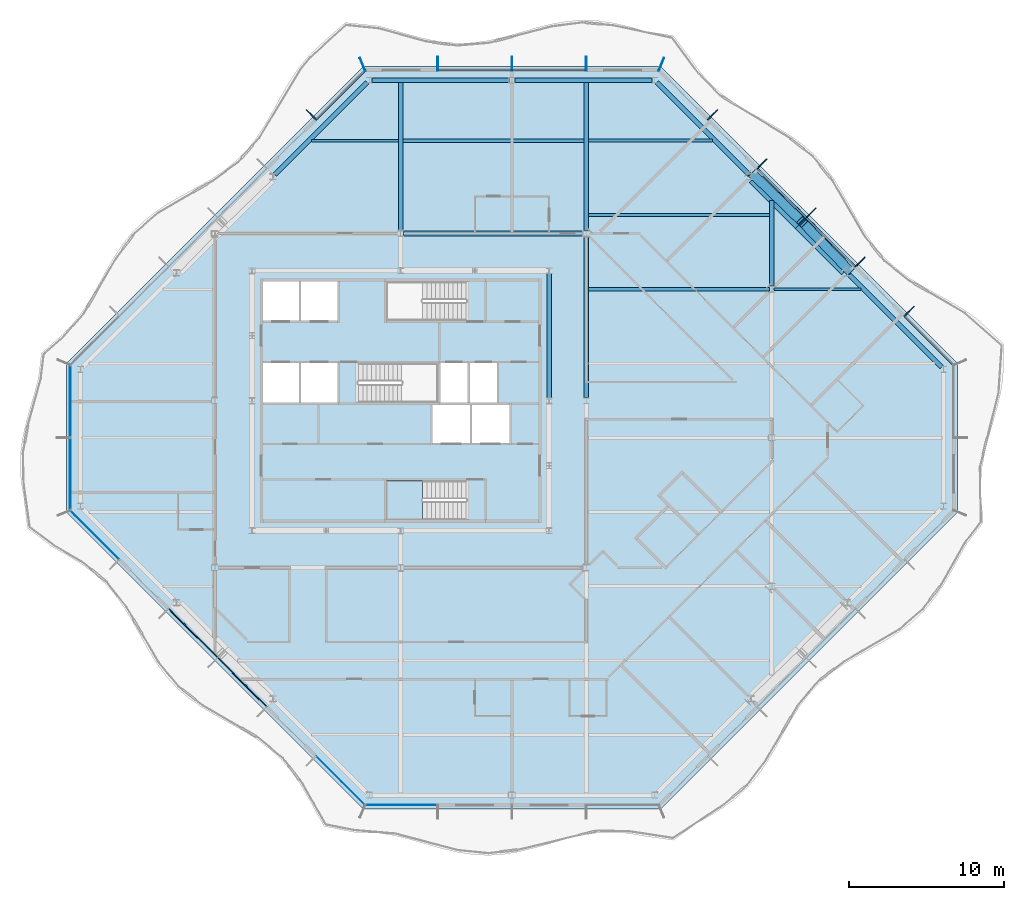
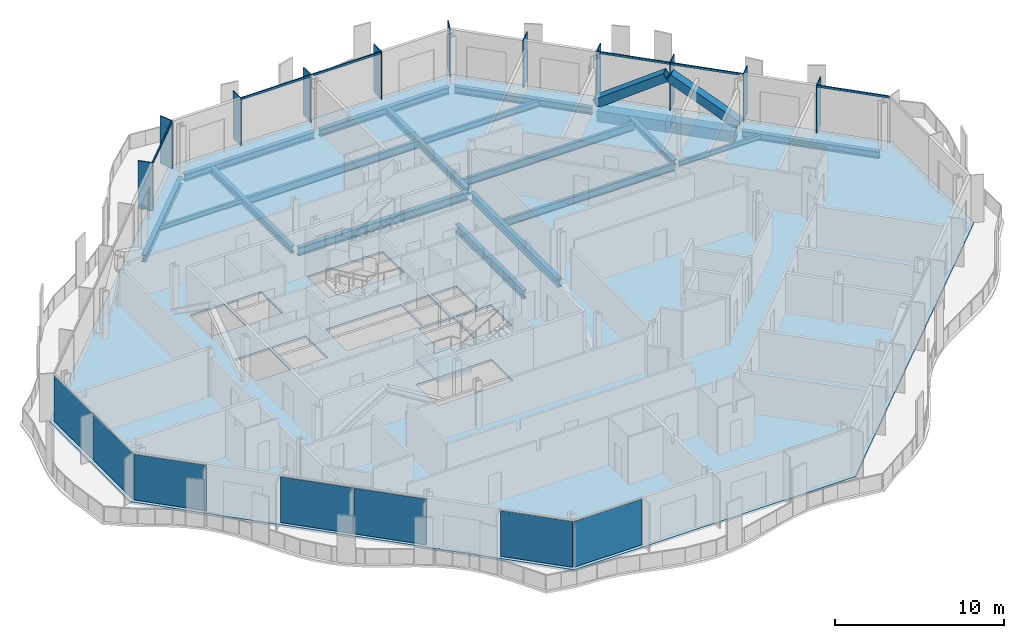
# One storey, part 5 of 17: 19 beams, 19 members, 7 plates, 2 slabs, 7 elements without a shape of their own.
"""IFC4 building model written with IfcOpenShell, lengths in metres."""

from ifc_helpers import new_model, si_unit, direction, frame, origin, origin_2d, place, context, subcontext, project, spatial, polyline, rectangle, hollow_rectangle, i_section, outline, extrude, material, layer, layer_set, material_profile, profile_set, type_object, element, aggregate, save


model = new_model("IFC4")

# Units and contexts
model_context = context("Model", 3, precision=1e-05, world=origin(), true_north=direction((0.0, 1.0)))
body_context = subcontext(model_context, "Body", "Model", "MODEL_VIEW")
ifc_project = project(units=[si_unit("LENGTHUNIT", "METRE"), si_unit("AREAUNIT", "SQUARE_METRE"), si_unit("VOLUMEUNIT", "CUBIC_METRE"), si_unit("PLANEANGLEUNIT", "RADIAN"), si_unit("MASSUNIT", "GRAM", prefix="KILO")], contexts=[model_context])

# Site, building, storey
site_placement = place(None, origin())
site = spatial("IfcSite", under=ifc_project, at=site_placement, CompositionType="ELEMENT")
building_placement = place(site_placement, origin())
building = spatial("IfcBuilding", under=site, at=building_placement, Name="Cairn Pilgrim Tower", CompositionType="ELEMENT")
storey_placement = place(building_placement, frame((0.0, 0.0, 243.0)))
storey = spatial("IfcBuildingStorey", under=building, at=storey_placement, Name="L62", CompositionType="ELEMENT", Elevation=243.0)

# Members
ifc_material_1 = material(Name="Structural steel S460M", Category="steel")
ifc_material_profile_1 = material_profile(ifc_material_1, hollow_rectangle(XDim=0.60009765625, YDim=0.60009765625, WallThickness=0.034912109375, at=origin_2d()), Name="BOX 600x600x35")
ifc_profile_set_1 = profile_set([ifc_material_profile_1], Name="Structural steel S460M")
member_type_1 = type_object("IfcMemberType", Name="BOX 600x600x35 BRACE", PredefinedType="BRACE", material=ifc_profile_set_1)
for number, where, z_axis, x_axis, name in (
    (1, (36.194580078125, 10.813232421875, 0.14990234375), (-0.593141693494, 0.611806144004, 0.523331800675), (-0.717973624454, -0.696070308653, 0.0), "XB-NE2-NE3-1"),
    (2, (30.01318359375, 16.99462890625, 0.14990234375), (0.611806144004, -0.593141693494, 0.523331800675), (0.696070308653, 0.717973624454, 0.0), "XB-NE2-NE3-2"),
):
    element("IfcMember", number, at=place(storey_placement, frame(where, z_axis=z_axis, x_axis=x_axis)), inside=storey, type_object=member_type_1, Name=name, PredefinedType="BRACE", context=body_context, shape_type="SweptSolid", body=[
        extrude(hollow_rectangle(XDim=0.60009765625, YDim=0.60009765625, WallThickness=0.034912109375, at=origin_2d()), origin(), (0.0, 0.0, 1.0), 5.035888671875),
    ])

# Beams
ifc_material_2 = material(Name="Structural steel S355J2", Category="steel")
ifc_material_profile_2 = material_profile(ifc_material_2, hollow_rectangle(XDim=0.699951171875, YDim=0.800048828125, WallThickness=0.0400390625, at=origin_2d()), Name="BOX 700x800x40")
ifc_profile_set_2 = profile_set([ifc_material_profile_2], Name="Structural steel S355J2")
beam_type_1 = type_object("IfcBeamType", Name="BOX 700x800x40 RING GIRDER", PredefinedType="SPANDREL", material=ifc_profile_set_2)
for number, where, z_axis, x_axis, name in (
    (3, (35.947265625, 10.780029296875, -0.550048828125), (-0.707106781187, 0.707106781187, 0.0), (-0.707106781187, -0.707106781187, 0.0), "RG3-NE2-NE3-1"),
    (4, (32.963623046875, 13.763671875, -0.550048828125), (-0.707106781187, 0.707106781187, 0.0), (-0.707106781187, -0.707106781187, 0.0), "RG3-NE2-NE3-2"),
):
    element("IfcBeam", number, at=place(storey_placement, frame(where, z_axis=z_axis, x_axis=x_axis)), inside=storey, type_object=beam_type_1, Name=name, PredefinedType="SPANDREL", context=body_context, shape_type="SweptSolid", body=[
        extrude(hollow_rectangle(XDim=0.699951171875, YDim=0.800048828125, WallThickness=0.0400390625, at=origin_2d()), origin(), (0.0, 0.0, 1.0), 4.219482421875),
    ])

# Curtain wall, members
ifc_material_3 = material(Name="Aluminium alloy 6063-T6 bronze anodised with Bronze tinted laminated low-E glass 8+16+8.8", Category="aluminium")
curtain_wall_type_1 = type_object("IfcCurtainWallType", Name="CHAMFER CORNER CURTAIN WALL", PredefinedType="NOTDEFINED", material=ifc_material_3)
curtain_wall_1_placement = place(storey_placement, origin())
curtain_wall_1 = element("IfcCurtainWall", 5, at=curtain_wall_1_placement, inside=storey, type_object=curtain_wall_type_1, Name="Chamfer Corner Curtain Wall NE", PredefinedType="NOTDEFINED")
ifc_material_4 = material(Name="Aluminium alloy 6063-T6 bronze anodised", Category="aluminium")
ifc_material_profile_3 = material_profile(ifc_material_4, rectangle(XDim=0.89990234375, YDim=0.06005859375, at=origin_2d()), Name="FIN MULLION 60x900 BRONZE")
ifc_profile_set_3 = profile_set([ifc_material_profile_3], Name="Aluminium alloy 6063-T6 bronze anodised")
member_type_2 = type_object("IfcMemberType", Name="FIN MULLION 60x900 BRONZE", PredefinedType="MULLION", material=ifc_profile_set_3)
member_1_placement = place(storey_placement, frame((40.0712890625, 8.1689453125, 0.0), z_axis=(0.0, 0.0, 1.0), x_axis=(0.707106781187, 0.707106781187, 0.0)))
member_1 = element("IfcMember", 6, at=member_1_placement, type_object=member_type_2, Name="Fin mullion NE2", PredefinedType="MULLION", context=body_context, shape_type="SweptSolid", body=[
    extrude(rectangle(XDim=0.89990234375, YDim=0.06005859375, at=origin_2d()), origin(), (0.0, 0.0, 1.0), 3.449951171875),
])
member_2_placement = place(storey_placement, frame((36.895751953125, 11.3447265625, 0.0), z_axis=(0.0, 0.0, 1.0), x_axis=(0.707106781187, 0.707106781187, 0.0)))
member_2 = element("IfcMember", 7, at=member_2_placement, type_object=member_type_2, Name="Fin mullion NE3", PredefinedType="MULLION", context=body_context, shape_type="SweptSolid", body=[
    extrude(rectangle(XDim=0.89990234375, YDim=0.06005859375, at=origin_2d()), origin(), (0.0, 0.0, 1.0), 3.449951171875),
])
member_3_placement = place(storey_placement, frame((33.72021484375, 14.520263671875, 0.0), z_axis=(0.0, 0.0, 1.0), x_axis=(0.707106781187, 0.707106781187, 0.0)))
member_3 = element("IfcMember", 8, at=member_3_placement, type_object=member_type_2, Name="Fin mullion NE4", PredefinedType="MULLION", context=body_context, shape_type="SweptSolid", body=[
    extrude(rectangle(XDim=0.89990234375, YDim=0.06005859375, at=origin_2d()), origin(), (0.0, 0.0, 1.0), 3.449951171875),
])
member_4_placement = place(storey_placement, frame((30.544677734375, 17.69580078125, 0.0), z_axis=(0.0, 0.0, 1.0), x_axis=(0.707106781187, 0.707106781187, 0.0)))
member_4 = element("IfcMember", 9, at=member_4_placement, type_object=member_type_2, Name="Fin mullion NE5", PredefinedType="MULLION", context=body_context, shape_type="SweptSolid", body=[
    extrude(rectangle(XDim=0.89990234375, YDim=0.06005859375, at=origin_2d()), origin(), (0.0, 0.0, 1.0), 3.449951171875),
])
member_5_placement = place(storey_placement, frame((27.369140625, 20.871337890625, 0.0), z_axis=(0.0, 0.0, 1.0), x_axis=(0.707106781187, 0.707106781187, 0.0)))
member_5 = element("IfcMember", 10, at=member_5_placement, type_object=member_type_2, Name="Fin mullion NE6", PredefinedType="MULLION", context=body_context, shape_type="SweptSolid", body=[
    extrude(rectangle(XDim=0.89990234375, YDim=0.06005859375, at=origin_2d()), origin(), (0.0, 0.0, 1.0), 3.449951171875),
])

curtain_wall_type_2 = type_object("IfcCurtainWallType", Name="TOWER STICK CURTAIN WALL NS", PredefinedType="NOTDEFINED", material=ifc_material_3)
curtain_wall_2_placement = place(storey_placement, origin())
curtain_wall_2 = element("IfcCurtainWall", 11, at=curtain_wall_2_placement, inside=storey, type_object=curtain_wall_type_2, Name="Tower Stick Curtain Wall Ns N", PredefinedType="NOTDEFINED")
member_6_placement = place(storey_placement, frame((24.05712890625, 24.137939453125, 0.0), z_axis=(0.0, 0.0, 1.0), x_axis=(0.382683432365, 0.923879532511, 0.0)))
member_6 = element("IfcMember", 12, at=member_6_placement, type_object=member_type_2, Name="Fin mullion N1", PredefinedType="MULLION", context=body_context, shape_type="SweptSolid", body=[
    extrude(rectangle(XDim=0.89990234375, YDim=0.06005859375, at=origin_2d()), origin(), (0.0, 0.0, 1.0), 3.449951171875),
])
member_7_placement = place(storey_placement, frame((19.199951171875, 24.169921875, 0.0), z_axis=(0.0, 0.0, 1.0), x_axis=(0.0, 1.0, 0.0)))
member_7 = element("IfcMember", 13, at=member_7_placement, type_object=member_type_2, Name="Fin mullion N2", PredefinedType="MULLION", context=body_context, shape_type="SweptSolid", body=[
    extrude(rectangle(XDim=0.89990234375, YDim=0.06005859375, at=origin_2d()), origin(), (0.0, 0.0, 1.0), 3.449951171875),
])
member_8_placement = place(storey_placement, frame((14.39990234375, 24.169921875, 0.0), z_axis=(0.0, 0.0, 1.0), x_axis=(0.0, 1.0, 0.0)))
member_8 = element("IfcMember", 14, at=member_8_placement, type_object=member_type_2, Name="Fin mullion N3", PredefinedType="MULLION", context=body_context, shape_type="SweptSolid", body=[
    extrude(rectangle(XDim=0.89990234375, YDim=0.06005859375, at=origin_2d()), origin(), (0.0, 0.0, 1.0), 3.449951171875),
])
member_9_placement = place(storey_placement, frame((9.60009765625, 24.169921875, 0.0), z_axis=(0.0, 0.0, 1.0), x_axis=(0.0, 1.0, 0.0)))
member_9 = element("IfcMember", 15, at=member_9_placement, type_object=member_type_2, Name="Fin mullion N4", PredefinedType="MULLION", context=body_context, shape_type="SweptSolid", body=[
    extrude(rectangle(XDim=0.89990234375, YDim=0.06005859375, at=origin_2d()), origin(), (0.0, 0.0, 1.0), 3.449951171875),
])

curtain_wall_3_placement = place(storey_placement, origin())
curtain_wall_3 = element("IfcCurtainWall", 16, at=curtain_wall_3_placement, inside=storey, type_object=curtain_wall_type_1, Name="Chamfer Corner Curtain Wall NW", PredefinedType="NOTDEFINED")
member_10_placement = place(storey_placement, frame((4.742919921875, 24.137939453125, 0.0), z_axis=(0.0, 0.0, 1.0), x_axis=(-0.382683432365, 0.923879532511, 0.0)))
member_10 = element("IfcMember", 17, at=member_10_placement, type_object=member_type_2, Name="Fin mullion NW1", PredefinedType="MULLION", context=body_context, shape_type="SweptSolid", body=[
    extrude(rectangle(XDim=0.89990234375, YDim=0.06005859375, at=origin_2d()), origin(), (0.0, 0.0, 1.0), 3.449951171875),
])
member_11_placement = place(storey_placement, frame((1.430908203125, 20.871337890625, 0.0), z_axis=(0.0, 0.0, 1.0), x_axis=(-0.707106781187, 0.707106781187, 0.0)))
member_11 = element("IfcMember", 18, at=member_11_placement, type_object=member_type_2, Name="Fin mullion NW2", PredefinedType="MULLION", context=body_context, shape_type="SweptSolid", body=[
    extrude(rectangle(XDim=0.89990234375, YDim=0.06005859375, at=origin_2d()), origin(), (0.0, 0.0, 1.0), 3.449951171875),
])

# Beams
ifc_material_profile_4 = material_profile(ifc_material_2, i_section(OverallWidth=0.300048828125, OverallDepth=0.39990234375, WebThickness=0.013427734375, FlangeThickness=0.02392578125, FilletRadius=0.027099609375, at=origin_2d()), Name="HEB 400")
ifc_profile_set_4 = profile_set([ifc_material_profile_4], Name="Structural steel S355J2")
beam_type_2 = type_object("IfcBeamType", Name="HEB 400 GIRDER", PredefinedType="BEAM", material=ifc_profile_set_4)
beam_1_placement = place(storey_placement, frame((31.199951171875, 9.799560546875, -0.35009765625), z_axis=(0.0, 1.0, 0.0), x_axis=(-1.0, 0.0, 0.0)))
element("IfcBeam", 19, at=beam_1_placement, inside=storey, type_object=beam_type_2, Name="PG5-4", PredefinedType="BEAM", context=body_context, shape_type="SweptSolid", body=[
    extrude(i_section(OverallWidth=0.300048828125, OverallDepth=0.39990234375, WebThickness=0.013427734375, FlangeThickness=0.02392578125, FilletRadius=0.027099609375, at=origin_2d()), origin(), (0.0, 0.0, 1.0), 5.545654296875),
])
ifc_material_profile_5 = material_profile(ifc_material_2, i_section(OverallWidth=0.300048828125, OverallDepth=0.5, WebThickness=0.014404296875, FlangeThickness=0.028076171875, FilletRadius=0.027099609375, at=origin_2d()), Name="HEB 500")
ifc_profile_set_5 = profile_set([ifc_material_profile_5], Name="Structural steel S355J2")
beam_type_3 = type_object("IfcBeamType", Name="HEB 500 GIRDER", PredefinedType="BEAM", material=ifc_profile_set_5)
for number, where, z_axis, x_axis, name in (
    (20, (7.199951171875, 13.39697265625, -0.39990234375), (0.0, 1.0, 0.0), (-1.0, 0.0, 0.0), "PG3-2"),
    (21, (19.199951171875, 13.39697265625, -0.39990234375), (0.0, 1.0, 0.0), (-1.0, 0.0, 0.0), "PG4-4"),
):
    element("IfcBeam", number, at=place(storey_placement, frame(where, z_axis=z_axis, x_axis=x_axis)), inside=storey, type_object=beam_type_3, Name=name, PredefinedType="BEAM", context=body_context, shape_type="SweptSolid", body=[
        extrude(i_section(OverallWidth=0.300048828125, OverallDepth=0.5, WebThickness=0.014404296875, FlangeThickness=0.028076171875, FilletRadius=0.027099609375, at=origin_2d()), origin(), (0.0, 0.0, 1.0), 9.5830078125),
    ])
ifc_material_profile_6 = material_profile(ifc_material_2, i_section(OverallWidth=0.300048828125, OverallDepth=0.5, WebThickness=0.014404296875, FlangeThickness=0.028076171875, FilletRadius=0.027099609375, at=origin_2d()), Name="HEB 500")
ifc_profile_set_6 = profile_set([ifc_material_profile_6], Name="Structural steel S355J2")
beam_type_4 = type_object("IfcBeamType", Name="HEB 500 RING GIRDER", PredefinedType="SPANDREL", material=ifc_profile_set_6)
for number, where, z_axis, x_axis, name in (
    (22, (42.17138671875, 4.555908203125, -0.39990234375), (-0.707106781187, 0.707106781187, 0.0), (-0.707106781187, -0.707106781187, 0.0), "RG3-NE1-NE2"),
    (23, (29.722900390625, 17.00439453125, -0.39990234375), (-0.707106781187, 0.707106781187, 0.0), (-0.707106781187, -0.707106781187, 0.0), "RG3-NE3-N1"),
):
    element("IfcBeam", number, at=place(storey_placement, frame(where, z_axis=z_axis, x_axis=x_axis)), inside=storey, type_object=beam_type_4, Name=name, PredefinedType="SPANDREL", context=body_context, shape_type="SweptSolid", body=[
        extrude(i_section(OverallWidth=0.300048828125, OverallDepth=0.5, WebThickness=0.014404296875, FlangeThickness=0.028076171875, FilletRadius=0.027099609375, at=origin_2d()), origin(), (0.0, 0.0, 1.0), 8.438720703125),
    ])
beam_2_placement = place(storey_placement, frame((23.4453125, 23.10009765625, -0.39990234375), z_axis=(-1.0, 0.0, 0.0), x_axis=(0.0, -1.0, 0.0)))
element("IfcBeam", 24, at=beam_2_placement, inside=storey, type_object=beam_type_4, Name="RG3-N1-N2", PredefinedType="SPANDREL", context=body_context, shape_type="SweptSolid", body=[
    extrude(i_section(OverallWidth=0.300048828125, OverallDepth=0.5, WebThickness=0.014404296875, FlangeThickness=0.028076171875, FilletRadius=0.027099609375, at=origin_2d()), origin(), (0.0, 0.0, 1.0), 8.863525390625),
])
beam_3_placement = place(storey_placement, frame((14.21826171875, 23.10009765625, -0.39990234375), z_axis=(-1.0, 0.0, 0.0), x_axis=(0.0, -1.0, 0.0)))
element("IfcBeam", 25, at=beam_3_placement, inside=storey, type_object=beam_type_4, Name="RG3-N2-NW1", PredefinedType="SPANDREL", context=body_context, shape_type="SweptSolid", body=[
    extrude(i_section(OverallWidth=0.300048828125, OverallDepth=0.5, WebThickness=0.014404296875, FlangeThickness=0.028076171875, FilletRadius=0.027099609375, at=origin_2d()), origin(), (0.0, 0.0, 1.0), 8.86376953125),
])
beam_4_placement = place(storey_placement, frame((5.044189453125, 22.971435546875, -0.39990234375), z_axis=(-0.707106781187, -0.707106781187, 0.0), x_axis=(0.707106781187, -0.707106781187, 0.0)))
element("IfcBeam", 26, at=beam_4_placement, inside=storey, type_object=beam_type_4, Name="RG3-NW1-NW2", PredefinedType="SPANDREL", context=body_context, shape_type="SweptSolid", body=[
    extrude(i_section(OverallWidth=0.300048828125, OverallDepth=0.5, WebThickness=0.014404296875, FlangeThickness=0.028076171875, FilletRadius=0.027099609375, at=origin_2d()), origin(), (0.0, 0.0, 1.0), 8.438720703125),
])
ifc_material_profile_7 = material_profile(ifc_material_2, i_section(OverallWidth=0.300048828125, OverallDepth=0.60009765625, WebThickness=0.015380859375, FlangeThickness=0.030029296875, FilletRadius=0.027099609375, at=origin_2d()), Name="HEB 600")
ifc_profile_set_7 = profile_set([ifc_material_profile_7], Name="Structural steel S355J2")
beam_type_5 = type_object("IfcBeamType", Name="HEB 600 CORE BEAM", PredefinedType="BEAM", material=ifc_profile_set_7)
beam_5_placement = place(storey_placement, frame((16.800048828125, 2.5791015625, -0.449951171875), z_axis=(0.0, 1.0, 0.0), x_axis=(-1.0, 0.0, 0.0)))
element("IfcBeam", 27, at=beam_5_placement, inside=storey, type_object=beam_type_5, Name="CB-4", PredefinedType="BEAM", context=body_context, shape_type="SweptSolid", body=[
    extrude(i_section(OverallWidth=0.300048828125, OverallDepth=0.60009765625, WebThickness=0.015380859375, FlangeThickness=0.030029296875, FilletRadius=0.027099609375, at=origin_2d()), origin(), (0.0, 0.0, 1.0), 8.041748046875),
])
ifc_material_profile_8 = material_profile(ifc_material_2, i_section(OverallWidth=0.300048828125, OverallDepth=0.60009765625, WebThickness=0.015380859375, FlangeThickness=0.030029296875, FilletRadius=0.027099609375, at=origin_2d()), Name="HEB 600")
ifc_profile_set_8 = profile_set([ifc_material_profile_8], Name="Structural steel S355J2")
beam_type_6 = type_object("IfcBeamType", Name="HEB 600 GIRDER", PredefinedType="BEAM", material=ifc_profile_set_8)
beam_6_placement = place(storey_placement, frame((19.199951171875, 2.596923828125, -0.449951171875), z_axis=(0.0, 1.0, 0.0), x_axis=(-1.0, 0.0, 0.0)))
element("IfcBeam", 28, at=beam_6_placement, inside=storey, type_object=beam_type_6, Name="PG4-3", PredefinedType="BEAM", context=body_context, shape_type="SweptSolid", body=[
    extrude(i_section(OverallWidth=0.300048828125, OverallDepth=0.60009765625, WebThickness=0.015380859375, FlangeThickness=0.030029296875, FilletRadius=0.027099609375, at=origin_2d()), origin(), (0.0, 0.0, 1.0), 10.406005859375),
])
ifc_material_profile_9 = material_profile(ifc_material_2, i_section(OverallWidth=0.300048828125, OverallDepth=0.60009765625, WebThickness=0.015380859375, FlangeThickness=0.030029296875, FilletRadius=0.027099609375, at=origin_2d()), Name="HEB 600")
ifc_profile_set_9 = profile_set([ifc_material_profile_9], Name="Structural steel S355J2")
beam_type_7 = type_object("IfcBeamType", Name="HEB 600 INNER GIRDER", PredefinedType="BEAM", material=ifc_profile_set_9)
beam_7_placement = place(storey_placement, frame((7.39697265625, 13.199951171875, -0.449951171875), z_axis=(1.0, 0.0, 0.0), x_axis=(0.0, 1.0, 0.0)))
element("IfcBeam", 29, at=beam_7_placement, inside=storey, type_object=beam_type_7, Name="IG2-2", PredefinedType="BEAM", context=body_context, shape_type="SweptSolid", body=[
    extrude(i_section(OverallWidth=0.300048828125, OverallDepth=0.60009765625, WebThickness=0.015380859375, FlangeThickness=0.030029296875, FilletRadius=0.027099609375, at=origin_2d()), origin(), (0.0, 0.0, 1.0), 11.60595703125),
])
ifc_material_profile_10 = material_profile(ifc_material_2, i_section(OverallWidth=0.169921875, OverallDepth=0.360107421875, WebThickness=0.008056640625, FlangeThickness=0.0126953125, FilletRadius=0.01806640625, at=origin_2d()), Name="IPE 360")
ifc_profile_set_10 = profile_set([ifc_material_profile_10], Name="Structural steel S355J2")
beam_type_8 = type_object("IfcBeamType", Name="IPE 360 SECONDARY BEAM", PredefinedType="JOIST", material=ifc_profile_set_10)
beam_8_placement = place(storey_placement, frame((31.35009765625, 9.60009765625, -0.330078125), z_axis=(1.0, 0.0, 0.0), x_axis=(0.0, 1.0, 0.0)))
element("IfcBeam", 30, at=beam_8_placement, inside=storey, type_object=beam_type_8, Name="SB7-3", PredefinedType="JOIST", context=body_context, shape_type="SweptSolid", body=[
    extrude(i_section(OverallWidth=0.169921875, OverallDepth=0.360107421875, WebThickness=0.008056640625, FlangeThickness=0.0126953125, FilletRadius=0.01806640625, at=origin_2d()), origin(), (0.0, 0.0, 1.0), 5.594970703125),
])
beam_9_placement = place(storey_placement, frame((1.454833984375, 19.199951171875, -0.330078125), z_axis=(1.0, 0.0, 0.0), x_axis=(0.0, 1.0, 0.0)))
element("IfcBeam", 31, at=beam_9_placement, inside=storey, type_object=beam_type_8, Name="SB9-1", PredefinedType="JOIST", context=body_context, shape_type="SweptSolid", body=[
    extrude(i_section(OverallWidth=0.169921875, OverallDepth=0.360107421875, WebThickness=0.008056640625, FlangeThickness=0.0126953125, FilletRadius=0.01806640625, at=origin_2d()), origin(), (0.0, 0.0, 1.0), 5.59521484375),
])
ifc_material_profile_11 = material_profile(ifc_material_2, i_section(OverallWidth=0.18994140625, OverallDepth=0.449951171875, WebThickness=0.009521484375, FlangeThickness=0.0146484375, FilletRadius=0.02099609375, at=origin_2d()), Name="IPE 450")
ifc_profile_set_11 = profile_set([ifc_material_profile_11], Name="Structural steel S355J2")
beam_type_9 = type_object("IfcBeamType", Name="IPE 450 SECONDARY BEAM", PredefinedType="JOIST", material=ifc_profile_set_11)
beam_10_placement = place(storey_placement, frame((19.35009765625, 19.199951171875, -0.375), z_axis=(1.0, 0.0, 0.0), x_axis=(0.0, 1.0, 0.0)))
element("IfcBeam", 32, at=beam_10_placement, inside=storey, type_object=beam_type_9, Name="SB9-3", PredefinedType="JOIST", context=body_context, shape_type="SweptSolid", body=[
    extrude(i_section(OverallWidth=0.18994140625, OverallDepth=0.449951171875, WebThickness=0.009521484375, FlangeThickness=0.0146484375, FilletRadius=0.02099609375, at=origin_2d()), origin(), (0.0, 0.0, 1.0), 7.9951171875),
])
ifc_material_profile_12 = material_profile(ifc_material_2, i_section(OverallWidth=0.2099609375, OverallDepth=0.550048828125, WebThickness=0.010986328125, FlangeThickness=0.01708984375, FilletRadius=0.02392578125, at=origin_2d()), Name="IPE 550")
ifc_profile_set_12 = profile_set([ifc_material_profile_12], Name="Structural steel S355J2")
beam_type_10 = type_object("IfcBeamType", Name="IPE 550 SECONDARY BEAM", PredefinedType="JOIST", material=ifc_profile_set_12)
for number, where, z_axis, x_axis, name in (
    (33, (19.35009765625, 9.60009765625, -0.425048828125), (1.0, 0.0, 0.0), (0.0, 1.0, 0.0), "SB7-2"),
    (34, (19.35009765625, 14.39990234375, -0.425048828125), (1.0, 0.0, 0.0), (0.0, 1.0, 0.0), "SB8-1"),
    (35, (7.35009765625, 19.199951171875, -0.425048828125), (1.0, 0.0, 0.0), (0.0, 1.0, 0.0), "SB9-2"),
):
    element("IfcBeam", number, at=place(storey_placement, frame(where, z_axis=z_axis, x_axis=x_axis)), inside=storey, type_object=beam_type_10, Name=name, PredefinedType="JOIST", context=body_context, shape_type="SweptSolid", body=[
        extrude(i_section(OverallWidth=0.2099609375, OverallDepth=0.550048828125, WebThickness=0.010986328125, FlangeThickness=0.01708984375, FilletRadius=0.02392578125, at=origin_2d()), origin(), (0.0, 0.0, 1.0), 11.699951171875),
    ])

# Member
ifc_material_profile_13 = material_profile(ifc_material_4, rectangle(XDim=0.080078125, YDim=0.14990234375, at=origin_2d()), Name="TRANSOM 80x150 BRONZE")
ifc_profile_set_13 = profile_set([ifc_material_profile_13], Name="Aluminium alloy 6063-T6 bronze anodised")
member_type_3 = type_object("IfcMemberType", Name="TRANSOM 80x150 BRONZE", PredefinedType="USERDEFINED", material=ifc_profile_set_13)
member_12_placement = place(storey_placement, frame((42.921630859375, 4.724609375, 3.375), z_axis=(-0.707079168996, 0.707134392299, 0.0), x_axis=(-0.707134392299, -0.707079168996, 0.0)))
member_12 = element("IfcMember", 36, at=member_12_placement, type_object=member_type_3, Name="Transom NE1", ObjectType="TRANSOM", PredefinedType="USERDEFINED", context=body_context, shape_type="SweptSolid", body=[
    extrude(rectangle(XDim=0.080078125, YDim=0.14990234375, at=origin_2d()), origin(), (0.0, 0.0, 1.0), 4.4208984375),
])

member_13_placement = place(storey_placement, frame((36.57763671875, 11.06884765625, 3.375), z_axis=(-0.707134329907, 0.707079231393, 0.0), x_axis=(-0.707079231393, -0.707134329907, 0.0)))
member_13 = element("IfcMember", 37, at=member_13_placement, type_object=member_type_3, Name="Transom NE3", ObjectType="TRANSOM", PredefinedType="USERDEFINED", context=body_context, shape_type="SweptSolid", body=[
    extrude(rectangle(XDim=0.080078125, YDim=0.14990234375, at=origin_2d()), origin(), (0.0, 0.0, 1.0), 4.430908203125),
])

member_14_placement = place(storey_placement, frame((33.402099609375, 14.244384765625, 3.375), z_axis=(-0.707106781187, 0.707106781187, 0.0), x_axis=(-0.707106781187, -0.707106781187, 0.0)))
member_14 = element("IfcMember", 38, at=member_14_placement, type_object=member_type_3, Name="Transom NE4", ObjectType="TRANSOM", PredefinedType="USERDEFINED", context=body_context, shape_type="SweptSolid", body=[
    extrude(rectangle(XDim=0.080078125, YDim=0.14990234375, at=origin_2d()), origin(), (0.0, 0.0, 1.0), 4.43115234375),
])

aggregate(curtain_wall_1, [member_1, member_2, member_3, member_4, member_5, member_12, member_13, member_14])

member_15_placement = place(storey_placement, frame((19.169921875, 23.75, 3.375), z_axis=(-1.0, 0.0, 0.0), x_axis=(0.0, -1.0, 0.0)))
member_15 = element("IfcMember", 39, at=member_15_placement, type_object=member_type_3, Name="Transom N2", ObjectType="TRANSOM", PredefinedType="USERDEFINED", context=body_context, shape_type="SweptSolid", body=[
    extrude(rectangle(XDim=0.080078125, YDim=0.14990234375, at=origin_2d()), origin(), (0.0, 0.0, 1.0), 4.739990234375),
])

member_16_placement = place(storey_placement, frame((14.3701171875, 23.75, 3.375), z_axis=(-1.0, 0.0, 0.0), x_axis=(0.0, -1.0, 0.0)))
member_16 = element("IfcMember", 40, at=member_16_placement, type_object=member_type_3, Name="Transom N3", ObjectType="TRANSOM", PredefinedType="USERDEFINED", context=body_context, shape_type="SweptSolid", body=[
    extrude(rectangle(XDim=0.080078125, YDim=0.14990234375, at=origin_2d()), origin(), (0.0, 0.0, 1.0), 4.740234375),
])

aggregate(curtain_wall_2, [member_6, member_7, member_8, member_9, member_15, member_16])

member_17_placement = place(storey_placement, frame((4.875244140625, 23.7216796875, 3.375), z_axis=(-0.707106781187, -0.707106781187, 0.0), x_axis=(0.707106781187, -0.707106781187, 0.0)))
member_17 = element("IfcMember", 41, at=member_17_placement, type_object=member_type_3, Name="Transom NW1", ObjectType="TRANSOM", PredefinedType="USERDEFINED", context=body_context, shape_type="SweptSolid", body=[
    extrude(rectangle(XDim=0.080078125, YDim=0.14990234375, at=origin_2d()), origin(), (0.0, 0.0, 1.0), 4.4208984375),
])

aggregate(curtain_wall_3, [member_10, member_11, member_17])

# Slab
ifc_material_5 = material(Name="Concrete C35/45", Category="concrete")
ifc_layer_1 = layer(ifc_material_5, 0.14990234375)
ifc_layer_set_1 = layer_set([ifc_layer_1], Name="COMPOSITE FLOOR SLAB 150")
slab_type_1 = type_object("IfcSlabType", Name="COMPOSITE FLOOR SLAB 150", PredefinedType="FLOOR", material=ifc_layer_set_1)
slab_1_placement = place(storey_placement, frame((0.0, 0.0, -0.14990234375)))
element("IfcSlab", 42, at=slab_1_placement, inside=storey, type_object=slab_type_1, Name="FLOOR SLAB L62", PredefinedType="FLOOR", context=body_context, shape_type="SweptSolid", body=[
    extrude(outline(polyline([(4.800048828125, -24.0), (24.0, -24.0), (43.199951171875, -4.800048828125), (43.199951171875, 4.800048828125), (24.0, 24.0), (4.800048828125, 24.0), (-14.39990234375, 4.800048828125), (-14.39990234375, -4.800048828125), (4.800048828125, -24.0)]), holes=[polyline([(9.27490234375, -0.324951171875), (11.675048828125, -0.324951171875), (11.675048828125, 2.125), (9.27490234375, 2.125), (9.27490234375, -0.324951171875)]), polyline([(11.824951171875, -0.324951171875), (14.22509765625, -0.324951171875), (14.22509765625, 2.125), (11.824951171875, 2.125), (11.824951171875, -0.324951171875)]), polyline([(-1.72509765625, 2.27490234375), (0.625, 2.27490234375), (0.625, 4.824951171875), (-1.72509765625, 4.824951171875), (-1.72509765625, 2.27490234375)]), polyline([(0.77490234375, 2.27490234375), (3.125, 2.27490234375), (3.125, 4.824951171875), (0.77490234375, 4.824951171875), (0.77490234375, 2.27490234375)]), polyline([(-1.72509765625, 7.574951171875), (0.625, 7.574951171875), (0.625, 10.10009765625), (-1.72509765625, 10.10009765625), (-1.72509765625, 7.574951171875)]), polyline([(0.77490234375, 7.574951171875), (3.125, 7.574951171875), (3.125, 10.10009765625), (0.77490234375, 10.10009765625), (0.77490234375, 7.574951171875)]), polyline([(9.77490234375, 2.27490234375), (11.52490234375, 2.27490234375), (11.52490234375, 4.824951171875), (9.77490234375, 4.824951171875), (9.77490234375, 2.27490234375)]), polyline([(11.675048828125, 2.27490234375), (13.425048828125, 2.27490234375), (13.425048828125, 4.824951171875), (11.675048828125, 4.824951171875), (11.675048828125, 2.27490234375)]), polyline([(11.424560546875, -2.77490234375), (6.27490234375, -2.77490234375), (6.27490234375, -5.300048828125), (11.424560546875, -5.300048828125), (11.424560546875, -2.77490234375)]), polyline([(4.4755859375, 2.27490234375), (9.625, 2.27490234375), (9.625, 4.824951171875), (4.4755859375, 4.824951171875), (4.4755859375, 2.27490234375)]), polyline([(11.424560546875, 10.10009765625), (6.27490234375, 10.10009765625), (6.27490234375, 7.574951171875), (11.424560546875, 7.574951171875), (11.424560546875, 10.10009765625)])]), origin(), (0.0, 0.0, 1.0), 0.14990234375),
])

# Curtain wall, plates
curtain_wall_4_placement = place(storey_placement, origin())
curtain_wall_4 = element("IfcCurtainWall", 43, at=curtain_wall_4_placement, inside=storey, type_object=curtain_wall_type_1, Name="Chamfer Corner Curtain Wall SW", PredefinedType="NOTDEFINED")
ifc_material_6 = material(Name="Bronze anodised aluminium spandrel panel with mineral wool insulation", Category="aluminium")
ifc_layer_2 = layer(ifc_material_6, 0.06005859375)
ifc_layer_set_2 = layer_set([ifc_layer_2], Name="SPANDREL PANEL 4431x3300")
plate_type_1 = type_object("IfcPlateType", Name="SPANDREL PANEL 4431x3300", PredefinedType="CURTAIN_PANEL", material=ifc_layer_set_2)
plate_1_placement = place(storey_placement, frame((-6.2109375, -12.635498046875, 0.0), z_axis=(0.0, 0.0, 1.0), x_axis=(0.707106781187, -0.707106781187, 0.0)))
plate_1 = element("IfcPlate", 44, at=plate_1_placement, type_object=plate_type_1, Name="Spandrel Panel SW3-1", PredefinedType="CURTAIN_PANEL", context=body_context, shape_type="SweptSolid", body=[
    extrude(rectangle(XDim=4.430908203125, YDim=0.06005859375, at=origin_2d()), origin(), (0.0, 0.0, 1.0), 3.300048828125),
])
plate_2_placement = place(storey_placement, frame((-3.035400390625, -15.81103515625, 0.0), z_axis=(0.0, 0.0, 1.0), x_axis=(0.707106781187, -0.707106781187, 0.0)))
plate_2 = element("IfcPlate", 45, at=plate_2_placement, type_object=plate_type_1, Name="Spandrel Panel SW4-1", PredefinedType="CURTAIN_PANEL", context=body_context, shape_type="SweptSolid", body=[
    extrude(rectangle(XDim=4.430908203125, YDim=0.06005859375, at=origin_2d()), origin(), (0.0, 0.0, 1.0), 3.300048828125),
])

# Stair, slab
ifc_material_7 = material(Name="Concrete C32/40", Category="concrete")
stair_type = type_object("IfcStairType", Name="EXIT STAIR 1200", PredefinedType="HALF_TURN_STAIR", material=ifc_material_7)
stair_placement = place(storey_placement, origin())
stair = element("IfcStair", 46, at=stair_placement, inside=storey, type_object=stair_type, Name="L62 Exit Stair A", PredefinedType="HALF_TURN_STAIR")
ifc_layer_3 = layer(ifc_material_7, 0.199951171875)
ifc_layer_set_3 = layer_set([ifc_layer_3], Name="STAIR LANDING 200")
slab_type_2 = type_object("IfcSlabType", Name="STAIR LANDING 200", PredefinedType="LANDING", material=ifc_layer_set_3)
slab_2_placement = place(storey_placement, frame((0.0, 0.0, 1.60009765625)))
slab_2 = element("IfcSlab", 47, at=slab_2_placement, type_object=slab_type_2, Name="ST-A landing 1", PredefinedType="LANDING", context=body_context, shape_type="SweptSolid", body=[
    extrude(outline(polyline([(8.625, -2.77490234375), (6.27490234375, -2.77490234375), (6.27490234375, -5.300048828125), (8.625, -5.300048828125), (8.625, -2.77490234375)])), origin(), (0.0, 0.0, 1.0), 0.199951171875),
])
aggregate(stair, [slab_2])

# Plate
ifc_material_8 = material(Name="Bronze tinted laminated low-E glass 8+16+8.8", Category="glass")
ifc_layer_4 = layer(ifc_material_8, 0.033935546875)
ifc_layer_set_4 = layer_set([ifc_layer_4], Name="VISION GLAZING 4421x3300")
plate_type_2 = type_object("IfcPlateType", Name="VISION GLAZING 4421x3300", PredefinedType="CURTAIN_PANEL", material=ifc_layer_set_4)
plate_3_placement = place(storey_placement, frame((-12.55859375, -6.287841796875, 0.0), z_axis=(0.0, 0.0, 1.0), x_axis=(0.707106781187, -0.707106781187, 0.0)))
plate_3 = element("IfcPlate", 48, at=plate_3_placement, type_object=plate_type_2, Name="Vision Glazing SW1-1", PredefinedType="CURTAIN_PANEL", context=body_context, shape_type="SweptSolid", body=[
    extrude(rectangle(XDim=4.4208984375, YDim=0.033935546875, at=origin_2d()), origin(), (0.0, 0.0, 1.0), 3.300048828125),
])

plate_4_placement = place(storey_placement, frame((3.312255859375, -22.15869140625, 0.0), z_axis=(0.0, 0.0, 1.0), x_axis=(0.707106781187, -0.707106781187, 0.0)))
plate_4 = element("IfcPlate", 49, at=plate_4_placement, type_object=plate_type_2, Name="Vision Glazing SW6-1", PredefinedType="CURTAIN_PANEL", context=body_context, shape_type="SweptSolid", body=[
    extrude(rectangle(XDim=4.4208984375, YDim=0.033935546875, at=origin_2d()), origin(), (0.0, 0.0, 1.0), 3.300048828125),
])

aggregate(curtain_wall_4, [plate_3, plate_1, plate_2, plate_4])

# Curtain wall, plate
curtain_wall_5_placement = place(storey_placement, origin())
curtain_wall_5 = element("IfcCurtainWall", 50, at=curtain_wall_5_placement, inside=storey, type_object=curtain_wall_type_2, Name="Tower Stick Curtain Wall Ns S", PredefinedType="NOTDEFINED")
ifc_layer_5 = layer(ifc_material_8, 0.033935546875)
ifc_layer_set_5 = layer_set([ifc_layer_5], Name="VISION GLAZING 4626x3300")
plate_type_3 = type_object("IfcPlateType", Name="VISION GLAZING 4626x3300", PredefinedType="CURTAIN_PANEL", material=ifc_layer_set_5)
plate_5_placement = place(storey_placement, frame((7.2568359375, -23.75, 0.0), z_axis=(0.0, 0.0, 1.0), x_axis=(1.0, 0.0, 0.0)))
plate_5 = element("IfcPlate", 51, at=plate_5_placement, type_object=plate_type_3, Name="Vision Glazing S1-1", PredefinedType="CURTAIN_PANEL", context=body_context, shape_type="SweptSolid", body=[
    extrude(rectangle(XDim=4.62646484375, YDim=0.033935546875, at=origin_2d()), origin(), (0.0, 0.0, 1.0), 3.300048828125),
])
aggregate(curtain_wall_5, [plate_5])

# Curtain wall, plates
curtain_wall_type_3 = type_object("IfcCurtainWallType", Name="TOWER STICK CURTAIN WALL EW", PredefinedType="NOTDEFINED", material=ifc_material_3)
curtain_wall_6_placement = place(storey_placement, origin())
curtain_wall_6 = element("IfcCurtainWall", 52, at=curtain_wall_6_placement, inside=storey, type_object=curtain_wall_type_3, Name="Tower Stick Curtain Wall Ew W", PredefinedType="NOTDEFINED")
plate_6_placement = place(storey_placement, frame((-14.14990234375, 2.34326171875, 0.0), z_axis=(0.0, 0.0, 1.0), x_axis=(0.0, -1.0, 0.0)))
plate_6 = element("IfcPlate", 53, at=plate_6_placement, type_object=plate_type_3, Name="Vision Glazing W1-1", PredefinedType="CURTAIN_PANEL", context=body_context, shape_type="SweptSolid", body=[
    extrude(rectangle(XDim=4.62646484375, YDim=0.033935546875, at=origin_2d()), origin(), (0.0, 0.0, 1.0), 3.300048828125),
])
plate_7_placement = place(storey_placement, frame((-14.14990234375, -2.34326171875, 0.0), z_axis=(0.0, 0.0, 1.0), x_axis=(0.0, -1.0, 0.0)))
plate_7 = element("IfcPlate", 54, at=plate_7_placement, type_object=plate_type_3, Name="Vision Glazing W2-1", PredefinedType="CURTAIN_PANEL", context=body_context, shape_type="SweptSolid", body=[
    extrude(rectangle(XDim=4.62646484375, YDim=0.033935546875, at=origin_2d()), origin(), (0.0, 0.0, 1.0), 3.300048828125),
])
aggregate(curtain_wall_6, [plate_6, plate_7])

save(model, "model.ifc")
